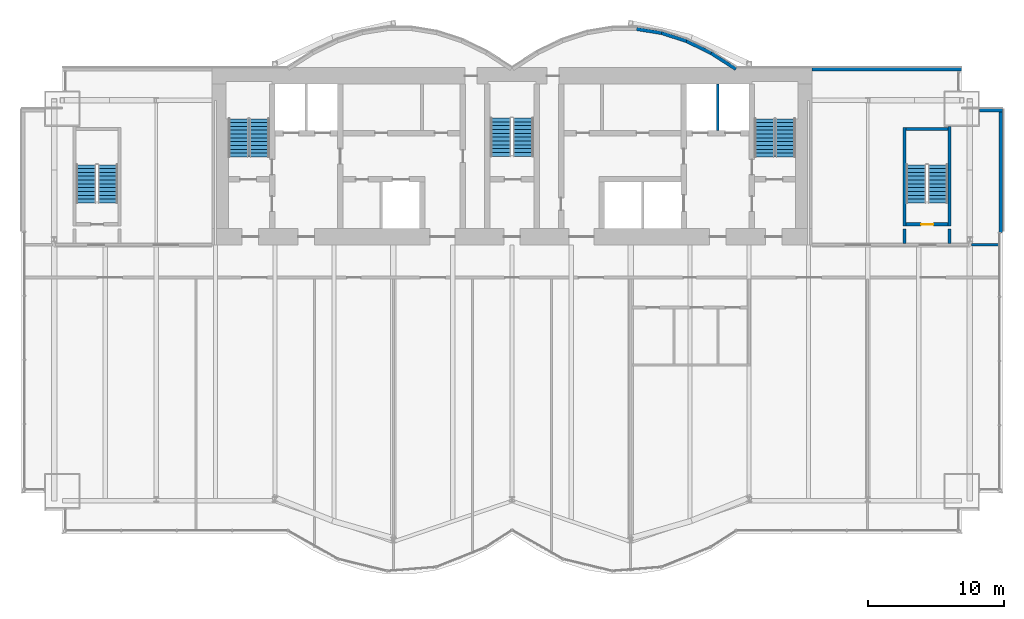
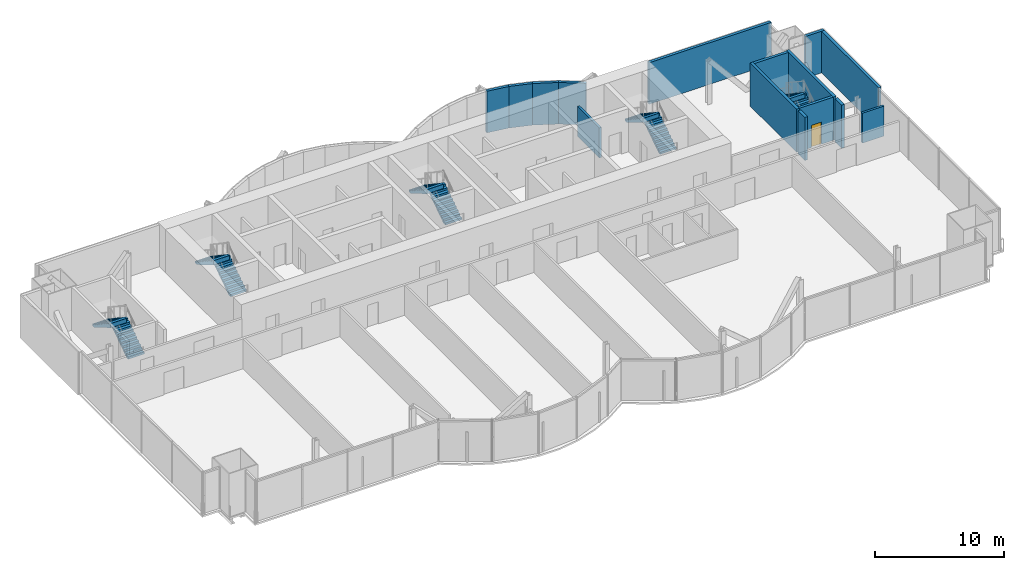
# One storey, part 18 of 21: 15 walls, 10 stair flights, 1 door, 1 opening, 5 elements without a shape of their own.
"""IFC4 building model written with IfcOpenShell, lengths in metres."""

from ifc_helpers import new_model, si_unit, direction, frame, frame_2d, origin, place, context, subcontext, project, spatial, polyline, rectangle, outline, extrude, material, layer, layer_set, layer_usage, type_object, element, fill, aggregate, save


model = new_model("IFC4")

# Units and contexts
model_context = context("Model", 3, precision=1e-05, world=origin(), true_north=direction((0.0, 1.0)))
body_context = subcontext(model_context, "Body", "Model", "MODEL_VIEW")
ifc_project = project(units=[si_unit("LENGTHUNIT", "METRE"), si_unit("AREAUNIT", "SQUARE_METRE"), si_unit("VOLUMEUNIT", "CUBIC_METRE"), si_unit("PLANEANGLEUNIT", "RADIAN"), si_unit("MASSUNIT", "GRAM", prefix="KILO")], contexts=[model_context])

# Site, building, storey
site_placement = place(None, origin())
site = spatial("IfcSite", under=ifc_project, at=site_placement, CompositionType="ELEMENT")
building_placement = place(site_placement, origin())
building = spatial("IfcBuilding", under=site, at=building_placement, Name="Bicima Exchange Tower", CompositionType="ELEMENT")
storey_placement = place(building_placement, frame((0.0, 0.0, 173.199951171875)))
storey = spatial("IfcBuildingStorey", under=building, at=storey_placement, Name="L38", CompositionType="ELEMENT", Elevation=173.199951171875)

# Walls
ifc_material_1 = material(Name="Gypsum board partition")
ifc_layer_1 = layer(ifc_material_1, 0.199951171875)
ifc_layer_set_1 = layer_set([ifc_layer_1], Name="Gypsum board partition")
wall_type_1 = type_object("IfcWallType", Name="Fire-rated gypsum partition 200 EI120", PredefinedType="PARTITIONING", material=ifc_layer_set_1)
wall_1_placement = place(storey_placement, frame((15.10009765625, -4.60009765625, 0.0), z_axis=(0.0, 0.0, 1.0), x_axis=(0.0, 1.0, 0.0)))
element("IfcWall", 1, at=wall_1_placement, inside=storey, type_object=wall_type_1, Name="partition wall 22", PredefinedType="PARTITIONING", context=body_context, shape_type="SweptSolid", body=[
    extrude(rectangle(XDim=3.400146484375, YDim=0.199951171875, at=frame_2d((1.7001953125, 0.0))), origin(), (0.0, 0.0, 1.0), 2.84033203125),
])
ifc_layer_2 = layer(ifc_material_1, 0.199951171875)
ifc_layer_set_2 = layer_set([ifc_layer_2], Name="Gypsum board partition")
wall_type_2 = type_object("IfcWallType", Name="Fire-rated gypsum partition 200 EI60", PredefinedType="PARTITIONING", material=ifc_layer_set_2)
wall_2_placement = place(storey_placement, frame((33.719970703125, -13.0, 0.0), z_axis=(0.0, 0.0, 1.0), x_axis=(1.0, 0.0, 0.0)))
element("IfcWall", 2, at=wall_2_placement, inside=storey, type_object=wall_type_2, Name="partition wall 7", PredefinedType="PARTITIONING", context=body_context, shape_type="SweptSolid", body=[
    extrude(rectangle(XDim=1.9599609375, YDim=0.199951171875, at=frame_2d((0.97998046875, 0.0))), origin(), (0.0, 0.0, 1.0), 2.84033203125),
])
ifc_material_2 = material(Name="Concrete C50/60", Category="concrete")
ifc_layer_3 = layer(ifc_material_2, 0.25)
ifc_layer_set_3 = layer_set([ifc_layer_3], Name="Concrete C50/60")
wall_type_3 = type_object("IfcWallType", Name="RC core wall 250 C50/60", PredefinedType="SHEAR", material=ifc_layer_set_3)
for number, where, z_axis, x_axis, name in (
    (3, (28.800048828125, -12.89990234375, 0.0), (0.0, 0.0, 1.0), (0.0, 1.0, 0.0), "stair wall 27"),
    (4, (32.10009765625, -12.89990234375, 0.0), (0.0, 0.0, 1.0), (0.0, 1.0, 0.0), "stair wall 28"),
):
    element("IfcWall", number, at=place(storey_placement, frame(where, z_axis=z_axis, x_axis=x_axis)), inside=storey, type_object=wall_type_3, Name=name, PredefinedType="SHEAR", context=body_context, shape_type="SweptSolid", body=[
        extrude(rectangle(XDim=1.0498046875, YDim=0.25, at=frame_2d((0.52490234375, 0.0))), origin(), (0.0, 0.0, 1.0), 4.10009765625),
    ])
ifc_layer_4 = layer(ifc_material_2, 0.25)
ifc_layer_set_4 = layer_set([ifc_layer_4], Name="Concrete C50/60")
wall_type_4 = type_object("IfcWallType", Name="RC stair enclosure wall 250 C50/60", PredefinedType="SHEAR", material=ifc_layer_set_4)
wall_3_placement = place(storey_placement, frame((28.800048828125, -11.625, 0.0), z_axis=(0.0, 0.0, 1.0), x_axis=(0.0, 1.0, 0.0)))
element("IfcWall", 5, at=wall_3_placement, inside=storey, type_object=wall_type_4, Name="East end exit stair wall W", PredefinedType="SHEAR", context=body_context, shape_type="SweptSolid", body=[
    extrude(rectangle(XDim=7.25, YDim=0.25, at=frame_2d((3.625, 0.0))), origin(), (0.0, 0.0, 1.0), 4.10009765625),
])
wall_4_placement = place(storey_placement, frame((32.10009765625, -11.625, 0.0), z_axis=(0.0, 0.0, 1.0), x_axis=(0.0, 1.0, 0.0)))
element("IfcWall", 6, at=wall_4_placement, inside=storey, type_object=wall_type_4, Name="East end exit stair wall E", PredefinedType="SHEAR", context=body_context, shape_type="SweptSolid", body=[
    extrude(rectangle(XDim=7.324951171875, YDim=0.25, at=frame_2d((3.66259765625, 0.0))), origin(), (0.0, 0.0, 1.0), 4.10009765625),
])

# Wall, opening, door
wall_5_placement = place(storey_placement, frame((28.925048828125, -11.5, 0.0), z_axis=(0.0, 0.0, 1.0), x_axis=(1.0, 0.0, 0.0)))
wall_5 = element("IfcWall", 7, at=wall_5_placement, inside=storey, type_object=wall_type_4, Name="East end exit stair wall S", PredefinedType="SHEAR", context=body_context, shape_type="SweptSolid", body=[
    extrude(rectangle(XDim=3.050048828125, YDim=0.25, at=frame_2d((1.52490234375, 0.0))), origin(), (0.0, 0.0, 1.0), 4.10009765625),
])
opening_placement = place(wall_5_placement, frame((1.10009765625, 0.0, 0.0)))
opening = element("IfcOpeningElement", 8, at=opening_placement, cuts=wall_5, Name="Opening L38-004", PredefinedType="OPENING", context=body_context, shape_type="SweptSolid", body=[
    extrude(rectangle(XDim=0.89990234375, YDim=2.10009765625, at=frame_2d((0.449951171875, 1.050048828125))), frame((0.0, 0.136962890625, 0.0), z_axis=(0.0, -1.0, 0.0), x_axis=(1.0, 0.0, 0.0)), (0.0, 0.0, 1.0), 0.27392578125),
])
ifc_material_3 = material(Name="Steel fire door leaf", Category="steel")
door_type = type_object("IfcDoorType", Name="Door 900 swing FD60S", OperationType="SINGLE_SWING_LEFT", PredefinedType="DOOR", material=ifc_material_3)
door_placement = place(opening_placement, origin())
door = element("IfcDoor", 9, at=door_placement, inside=storey, type_object=door_type, Name="Door", OperationType="SINGLE_SWING_LEFT", OverallHeight=2.10009765625, OverallWidth=0.89990234375, PredefinedType="DOOR", context=body_context, shape_type="SweptSolid", body=[
    extrude(rectangle(XDim=0.89990234375, YDim=2.10009765625, at=frame_2d((0.449951171875, 1.050048828125))), frame((0.0, 0.02490234375, 0.0), z_axis=(0.0, -1.0, 0.0), x_axis=(1.0, 0.0, 0.0)), (0.0, 0.0, 1.0), 0.050048828125),
])
fill(opening, door)

# Walls
wall_6_placement = place(storey_placement, frame((28.925048828125, -4.5, 0.0), z_axis=(0.0, 0.0, 1.0), x_axis=(1.0, 0.0, 0.0)))
element("IfcWall", 10, at=wall_6_placement, inside=storey, type_object=wall_type_4, Name="East end exit stair wall N", PredefinedType="SHEAR", context=body_context, shape_type="SweptSolid", body=[
    extrude(rectangle(XDim=3.050048828125, YDim=0.25, at=frame_2d((1.52490234375, 0.0))), origin(), (0.0, 0.0, 1.0), 4.10009765625),
])
ifc_material_4 = material(Name="Concrete C40/50", Category="concrete")
ifc_layer_5 = layer(ifc_material_4, 0.25)
ifc_layer_set_5 = layer_set([ifc_layer_5], Name="Concrete C40/50")
ifc_layer_usage = layer_usage(ifc_layer_set_5, "AXIS2", "POSITIVE", -0.125)
wall_type_5 = type_object("IfcWallType", Name="Rear backup wall 250", PredefinedType="STANDARD", material=ifc_layer_set_5)
wall_7_placement = place(storey_placement, frame((33.0, -0.125, 0.0), z_axis=(0.0, 0.0, 1.0), x_axis=(-1.0, 0.0, 0.0)))
element("IfcWall", 11, at=wall_7_placement, inside=storey, type_object=wall_type_5, material=ifc_layer_usage, Name="Rear backup wall L38 1", PredefinedType="STANDARD", context=body_context, shape_type="SweptSolid", body=[
    extrude(rectangle(XDim=11.0, YDim=0.25, at=frame_2d((5.5, 0.0))), origin(), (0.0, 0.0, 1.0), 3.949951171875),
])
wall_8_placement = place(storey_placement, frame((16.43212890625, -0.10498046875, 0.0), z_axis=(0.0, 0.0, 1.0), x_axis=(-0.83981312244, 0.542875602121, 0.0)))
element("IfcWall", 12, at=wall_8_placement, inside=storey, type_object=wall_type_5, material=ifc_layer_usage, Name="Rear backup wall L38 2", PredefinedType="STANDARD", context=body_context, shape_type="SweptSolid", body=[
    extrude(rectangle(XDim=2.182861328125, YDim=0.25, at=frame_2d((1.09130859375, 0.0))), origin(), (0.0, 0.0, 1.0), 3.949951171875),
])
wall_9_placement = place(storey_placement, frame((14.6123046875, 1.07275390625, 0.0), z_axis=(0.0, 0.0, 1.0), x_axis=(-0.89982408427, 0.436252928206, 0.0)))
element("IfcWall", 13, at=wall_9_placement, inside=storey, type_object=wall_type_5, material=ifc_layer_usage, Name="Rear backup wall L38 3", PredefinedType="STANDARD", context=body_context, shape_type="SweptSolid", body=[
    extrude(rectangle(XDim=2.03759765625, YDim=0.25, at=frame_2d((1.018798828125, 0.0))), origin(), (0.0, 0.0, 1.0), 3.949951171875),
])
wall_10_placement = place(storey_placement, frame((12.794921875, 1.955078125, 0.0), z_axis=(0.0, 0.0, 1.0), x_axis=(-0.951495806175, 0.307661714928, 0.0)))
element("IfcWall", 14, at=wall_10_placement, inside=storey, type_object=wall_type_5, material=ifc_layer_usage, Name="Rear backup wall L38 4", PredefinedType="STANDARD", context=body_context, shape_type="SweptSolid", body=[
    extrude(rectangle(XDim=1.9267578125, YDim=0.25, at=frame_2d((0.96337890625, 0.0))), origin(), (0.0, 0.0, 1.0), 3.949951171875),
])
wall_11_placement = place(storey_placement, frame((10.97998046875, 2.543212890625, 0.0), z_axis=(0.0, 0.0, 1.0), x_axis=(-0.987181718931, 0.159600293885, 0.0)))
element("IfcWall", 15, at=wall_11_placement, inside=storey, type_object=wall_type_5, material=ifc_layer_usage, Name="Rear backup wall L38 5", PredefinedType="STANDARD", context=body_context, shape_type="SweptSolid", body=[
    extrude(rectangle(XDim=1.857177734375, YDim=0.25, at=frame_2d((0.9287109375, 0.0))), origin(), (0.0, 0.0, 1.0), 3.949951171875),
])
wall_12_placement = place(storey_placement, frame((35.875, -12.090087890625, 0.0), z_axis=(0.0, 0.0, 1.0), x_axis=(0.0, 1.0, 0.0)))
element("IfcWall", 16, at=wall_12_placement, inside=storey, type_object=wall_type_5, material=ifc_layer_usage, Name="Rear backup wall L38 50", PredefinedType="STANDARD", context=body_context, shape_type="SweptSolid", body=[
    extrude(rectangle(XDim=9.090087890625, YDim=0.25, at=frame_2d((4.544921875, 0.0))), origin(), (0.0, 0.0, 1.0), 3.949951171875),
])
wall_13_placement = place(storey_placement, frame((36.0, -3.125, 0.0), z_axis=(0.0, 0.0, 1.0), x_axis=(-1.0, 0.0, 0.0)))
element("IfcWall", 17, at=wall_13_placement, inside=storey, type_object=wall_type_5, material=ifc_layer_usage, Name="Rear backup wall L38 51", PredefinedType="STANDARD", context=body_context, shape_type="SweptSolid", body=[
    extrude(rectangle(XDim=1.699951171875, YDim=0.25, at=frame_2d((0.85009765625, 0.0))), origin(), (0.0, 0.0, 1.0), 3.949951171875),
])

# Stair, stair flights
stair_type_1 = type_object("IfcStairType", Name="Exit stair", PredefinedType="HALF_TURN_STAIR", material=ifc_material_2)
stair_1_placement = place(storey_placement, origin())
stair_1 = element("IfcStair", 18, at=stair_1_placement, inside=storey, type_object=stair_type_1, Name="L38 West exit stair", PredefinedType="HALF_TURN_STAIR")
stair_flight_type_1 = type_object("IfcStairFlightType", Name="Stair flight RC", PredefinedType="STRAIGHT", material=ifc_material_2)
stair_flight_1_placement = place(storey_placement, frame((-18.52490234375, -6.550048828125, 0.0), z_axis=(0.0, 0.0, 1.0), x_axis=(0.0, 1.0, 0.0)))
stair_flight_1 = element("IfcStairFlight", 19, at=stair_flight_1_placement, type_object=stair_flight_type_1, Name="ST-W flight 1", NumberOfRisers=11, NumberOfTreads=10, PredefinedType="STRAIGHT", RiserHeight=0.186363636, TreadLength=0.28, context=body_context, shape_type="SweptSolid", body=[
    extrude(outline(polyline([(0.0, 0.0), (0.0, 0.186279296875), (0.280029296875, 0.186279296875), (0.280029296875, 0.372802734375), (0.56005859375, 0.372802734375), (0.56005859375, 0.55908203125), (0.840087890625, 0.55908203125), (0.840087890625, 0.745361328125), (1.1201171875, 0.745361328125), (1.1201171875, 0.931884765625), (1.39990234375, 0.931884765625), (1.39990234375, 1.1181640625), (1.679931640625, 1.1181640625), (1.679931640625, 1.304443359375), (1.9599609375, 1.304443359375), (1.9599609375, 1.490966796875), (2.239990234375, 1.490966796875), (2.239990234375, 1.67724609375), (2.52001953125, 1.67724609375), (2.52001953125, 1.863525390625), (2.800048828125, 1.863525390625), (2.800048828125, 2.050048828125), (2.800048828125, 1.68359375), (0.2705078125, 0.0), (0.0, 0.0)])), frame((0.0, 0.72509765625, 0.0), z_axis=(0.0, -1.0, 0.0), x_axis=(1.0, 0.0, 0.0)), (0.0, 0.0, 1.0), 1.449951171875),
])
stair_flight_2_placement = place(storey_placement, frame((-20.074951171875, -3.75, 2.050048828125), z_axis=(0.0, 0.0, 1.0), x_axis=(0.0, -1.0, 0.0)))
stair_flight_2 = element("IfcStairFlight", 20, at=stair_flight_2_placement, type_object=stair_flight_type_1, Name="ST-W flight 2", NumberOfRisers=11, NumberOfTreads=10, PredefinedType="STRAIGHT", RiserHeight=0.186363636, TreadLength=0.28, context=body_context, shape_type="SweptSolid", body=[
    extrude(outline(polyline([(0.0, 0.0), (0.0, 0.186279296875), (0.280029296875, 0.186279296875), (0.280029296875, 0.372802734375), (0.56005859375, 0.372802734375), (0.56005859375, 0.55908203125), (0.840087890625, 0.55908203125), (0.840087890625, 0.745361328125), (1.1201171875, 0.745361328125), (1.1201171875, 0.931884765625), (1.39990234375, 0.931884765625), (1.39990234375, 1.1181640625), (1.679931640625, 1.1181640625), (1.679931640625, 1.304443359375), (1.9599609375, 1.304443359375), (1.9599609375, 1.490966796875), (2.239990234375, 1.490966796875), (2.239990234375, 1.67724609375), (2.52001953125, 1.67724609375), (2.52001953125, 1.863525390625), (2.800048828125, 1.863525390625), (2.800048828125, 1.904052734375), (2.81494140625, 1.904052734375), (2.81494140625, 1.507080078125), (0.2705078125, 0.0), (0.0, 0.0)])), frame((0.0, 0.72509765625, 0.0), z_axis=(0.0, -1.0, 0.0), x_axis=(1.0, 0.0, 0.0)), (0.0, 0.0, 1.0), 1.449951171875),
])
aggregate(stair_1, [stair_flight_1, stair_flight_2])

stair_2_placement = place(storey_placement, origin())
stair_2 = element("IfcStair", 21, at=stair_2_placement, inside=storey, type_object=stair_type_1, Name="L38 East exit stair", PredefinedType="HALF_TURN_STAIR")
stair_flight_3_placement = place(storey_placement, frame((20.074951171875, -6.550048828125, 0.0), z_axis=(0.0, 0.0, 1.0), x_axis=(0.0, 1.0, 0.0)))
stair_flight_3 = element("IfcStairFlight", 22, at=stair_flight_3_placement, type_object=stair_flight_type_1, Name="ST-E flight 1", NumberOfRisers=11, NumberOfTreads=10, PredefinedType="STRAIGHT", RiserHeight=0.186363636, TreadLength=0.28, context=body_context, shape_type="SweptSolid", body=[
    extrude(outline(polyline([(0.0, 0.0), (0.0, 0.186279296875), (0.280029296875, 0.186279296875), (0.280029296875, 0.372802734375), (0.56005859375, 0.372802734375), (0.56005859375, 0.55908203125), (0.840087890625, 0.55908203125), (0.840087890625, 0.745361328125), (1.1201171875, 0.745361328125), (1.1201171875, 0.931884765625), (1.39990234375, 0.931884765625), (1.39990234375, 1.1181640625), (1.679931640625, 1.1181640625), (1.679931640625, 1.304443359375), (1.9599609375, 1.304443359375), (1.9599609375, 1.490966796875), (2.239990234375, 1.490966796875), (2.239990234375, 1.67724609375), (2.52001953125, 1.67724609375), (2.52001953125, 1.863525390625), (2.800048828125, 1.863525390625), (2.800048828125, 2.050048828125), (2.800048828125, 1.68359375), (0.2705078125, 0.0), (0.0, 0.0)])), frame((0.0, 0.72509765625, 0.0), z_axis=(0.0, -1.0, 0.0), x_axis=(1.0, 0.0, 0.0)), (0.0, 0.0, 1.0), 1.449951171875),
])
stair_flight_4_placement = place(storey_placement, frame((18.52490234375, -3.75, 2.050048828125), z_axis=(0.0, 0.0, 1.0), x_axis=(0.0, -1.0, 0.0)))
stair_flight_4 = element("IfcStairFlight", 23, at=stair_flight_4_placement, type_object=stair_flight_type_1, Name="ST-E flight 2", NumberOfRisers=11, NumberOfTreads=10, PredefinedType="STRAIGHT", RiserHeight=0.186363636, TreadLength=0.28, context=body_context, shape_type="SweptSolid", body=[
    extrude(outline(polyline([(0.0, 0.0), (0.0, 0.186279296875), (0.280029296875, 0.186279296875), (0.280029296875, 0.372802734375), (0.56005859375, 0.372802734375), (0.56005859375, 0.55908203125), (0.840087890625, 0.55908203125), (0.840087890625, 0.745361328125), (1.1201171875, 0.745361328125), (1.1201171875, 0.931884765625), (1.39990234375, 0.931884765625), (1.39990234375, 1.1181640625), (1.679931640625, 1.1181640625), (1.679931640625, 1.304443359375), (1.9599609375, 1.304443359375), (1.9599609375, 1.490966796875), (2.239990234375, 1.490966796875), (2.239990234375, 1.67724609375), (2.52001953125, 1.67724609375), (2.52001953125, 1.863525390625), (2.800048828125, 1.863525390625), (2.800048828125, 1.904052734375), (2.81494140625, 1.904052734375), (2.81494140625, 1.507080078125), (0.2705078125, 0.0), (0.0, 0.0)])), frame((0.0, 0.72509765625, 0.0), z_axis=(0.0, -1.0, 0.0), x_axis=(1.0, 0.0, 0.0)), (0.0, 0.0, 1.0), 1.449951171875),
])
aggregate(stair_2, [stair_flight_3, stair_flight_4])

stair_3_placement = place(storey_placement, origin())
stair_3 = element("IfcStair", 24, at=stair_3_placement, inside=storey, type_object=stair_type_1, Name="L38 West end exit stair", PredefinedType="HALF_TURN_STAIR")
stair_flight_5_placement = place(storey_placement, frame((-29.64990234375, -9.925048828125, 0.0), z_axis=(0.0, 0.0, 1.0), x_axis=(0.0, 1.0, 0.0)))
stair_flight_5 = element("IfcStairFlight", 25, at=stair_flight_5_placement, type_object=stair_flight_type_1, Name="ST-WW flight 1", NumberOfRisers=11, NumberOfTreads=10, PredefinedType="STRAIGHT", RiserHeight=0.186363636, TreadLength=0.28, context=body_context, shape_type="SweptSolid", body=[
    extrude(outline(polyline([(0.0, 0.0), (0.0, 0.186279296875), (0.280029296875, 0.186279296875), (0.280029296875, 0.372802734375), (0.56005859375, 0.372802734375), (0.56005859375, 0.55908203125), (0.840087890625, 0.55908203125), (0.840087890625, 0.745361328125), (1.1201171875, 0.745361328125), (1.1201171875, 0.931884765625), (1.39990234375, 0.931884765625), (1.39990234375, 1.1181640625), (1.679931640625, 1.1181640625), (1.679931640625, 1.304443359375), (1.9599609375, 1.304443359375), (1.9599609375, 1.490966796875), (2.239990234375, 1.490966796875), (2.239990234375, 1.67724609375), (2.52001953125, 1.67724609375), (2.52001953125, 1.863525390625), (2.800048828125, 1.863525390625), (2.800048828125, 2.050048828125), (2.800048828125, 1.68359375), (0.2705078125, 0.0), (0.0, 0.0)])), frame((0.0, 0.72509765625, 0.0), z_axis=(0.0, -1.0, 0.0), x_axis=(1.0, 0.0, 0.0)), (0.0, 0.0, 1.0), 1.449951171875),
])
stair_flight_6_placement = place(storey_placement, frame((-31.25, -7.125, 2.050048828125), z_axis=(0.0, 0.0, 1.0), x_axis=(0.0, -1.0, 0.0)))
stair_flight_6 = element("IfcStairFlight", 26, at=stair_flight_6_placement, type_object=stair_flight_type_1, Name="ST-WW flight 2", NumberOfRisers=11, NumberOfTreads=10, PredefinedType="STRAIGHT", RiserHeight=0.186363636, TreadLength=0.28, context=body_context, shape_type="SweptSolid", body=[
    extrude(outline(polyline([(0.0, 0.0), (0.0, 0.186279296875), (0.280029296875, 0.186279296875), (0.280029296875, 0.372802734375), (0.56005859375, 0.372802734375), (0.56005859375, 0.55908203125), (0.840087890625, 0.55908203125), (0.840087890625, 0.745361328125), (1.1201171875, 0.745361328125), (1.1201171875, 0.931884765625), (1.39990234375, 0.931884765625), (1.39990234375, 1.1181640625), (1.679931640625, 1.1181640625), (1.679931640625, 1.304443359375), (1.9599609375, 1.304443359375), (1.9599609375, 1.490966796875), (2.239990234375, 1.490966796875), (2.239990234375, 1.67724609375), (2.52001953125, 1.67724609375), (2.52001953125, 1.863525390625), (2.800048828125, 1.863525390625), (2.800048828125, 1.904052734375), (2.81494140625, 1.904052734375), (2.81494140625, 1.507080078125), (0.2705078125, 0.0), (0.0, 0.0)])), frame((0.0, 0.72509765625, 0.0), z_axis=(0.0, -1.0, 0.0), x_axis=(1.0, 0.0, 0.0)), (0.0, 0.0, 1.0), 1.449951171875),
])
aggregate(stair_3, [stair_flight_5, stair_flight_6])

stair_4_placement = place(storey_placement, origin())
stair_4 = element("IfcStair", 27, at=stair_4_placement, inside=storey, type_object=stair_type_1, Name="L38 East end exit stair", PredefinedType="HALF_TURN_STAIR")
stair_flight_7_placement = place(storey_placement, frame((31.25, -9.925048828125, 0.0), z_axis=(0.0, 0.0, 1.0), x_axis=(0.0, 1.0, 0.0)))
stair_flight_7 = element("IfcStairFlight", 28, at=stair_flight_7_placement, type_object=stair_flight_type_1, Name="ST-EE flight 1", NumberOfRisers=11, NumberOfTreads=10, PredefinedType="STRAIGHT", RiserHeight=0.186363636, TreadLength=0.28, context=body_context, shape_type="SweptSolid", body=[
    extrude(outline(polyline([(0.0, 0.0), (0.0, 0.186279296875), (0.280029296875, 0.186279296875), (0.280029296875, 0.372802734375), (0.56005859375, 0.372802734375), (0.56005859375, 0.55908203125), (0.840087890625, 0.55908203125), (0.840087890625, 0.745361328125), (1.1201171875, 0.745361328125), (1.1201171875, 0.931884765625), (1.39990234375, 0.931884765625), (1.39990234375, 1.1181640625), (1.679931640625, 1.1181640625), (1.679931640625, 1.304443359375), (1.9599609375, 1.304443359375), (1.9599609375, 1.490966796875), (2.239990234375, 1.490966796875), (2.239990234375, 1.67724609375), (2.52001953125, 1.67724609375), (2.52001953125, 1.863525390625), (2.800048828125, 1.863525390625), (2.800048828125, 2.050048828125), (2.800048828125, 1.68359375), (0.2705078125, 0.0), (0.0, 0.0)])), frame((0.0, 0.72509765625, 0.0), z_axis=(0.0, -1.0, 0.0), x_axis=(1.0, 0.0, 0.0)), (0.0, 0.0, 1.0), 1.449951171875),
])
stair_flight_8_placement = place(storey_placement, frame((29.64990234375, -7.125, 2.050048828125), z_axis=(0.0, 0.0, 1.0), x_axis=(0.0, -1.0, 0.0)))
stair_flight_8 = element("IfcStairFlight", 29, at=stair_flight_8_placement, type_object=stair_flight_type_1, Name="ST-EE flight 2", NumberOfRisers=11, NumberOfTreads=10, PredefinedType="STRAIGHT", RiserHeight=0.186363636, TreadLength=0.28, context=body_context, shape_type="SweptSolid", body=[
    extrude(outline(polyline([(0.0, 0.0), (0.0, 0.186279296875), (0.280029296875, 0.186279296875), (0.280029296875, 0.372802734375), (0.56005859375, 0.372802734375), (0.56005859375, 0.55908203125), (0.840087890625, 0.55908203125), (0.840087890625, 0.745361328125), (1.1201171875, 0.745361328125), (1.1201171875, 0.931884765625), (1.39990234375, 0.931884765625), (1.39990234375, 1.1181640625), (1.679931640625, 1.1181640625), (1.679931640625, 1.304443359375), (1.9599609375, 1.304443359375), (1.9599609375, 1.490966796875), (2.239990234375, 1.490966796875), (2.239990234375, 1.67724609375), (2.52001953125, 1.67724609375), (2.52001953125, 1.863525390625), (2.800048828125, 1.863525390625), (2.800048828125, 1.904052734375), (2.81494140625, 1.904052734375), (2.81494140625, 1.507080078125), (0.2705078125, 0.0), (0.0, 0.0)])), frame((0.0, 0.72509765625, 0.0), z_axis=(0.0, -1.0, 0.0), x_axis=(1.0, 0.0, 0.0)), (0.0, 0.0, 1.0), 1.449951171875),
])
aggregate(stair_4, [stair_flight_7, stair_flight_8])

stair_type_2 = type_object("IfcStairType", Name="Exit stair 1500", PredefinedType="HALF_TURN_STAIR", material=ifc_material_2)
stair_5_placement = place(storey_placement, origin())
stair_5 = element("IfcStair", 30, at=stair_5_placement, inside=storey, type_object=stair_type_2, Name="L38 Central exit stair", PredefinedType="HALF_TURN_STAIR")
stair_flight_type_2 = type_object("IfcStairFlightType", Name="Stair flight RC 1500", PredefinedType="STRAIGHT", material=ifc_material_2)
stair_flight_9_placement = place(storey_placement, frame((0.824951171875, -6.5, 0.0), z_axis=(0.0, 0.0, 1.0), x_axis=(0.0, 1.0, 0.0)))
stair_flight_9 = element("IfcStairFlight", 31, at=stair_flight_9_placement, type_object=stair_flight_type_2, Name="ST-C flight 1", NumberOfRisers=11, NumberOfTreads=10, PredefinedType="STRAIGHT", RiserHeight=0.186363636, TreadLength=0.28, context=body_context, shape_type="SweptSolid", body=[
    extrude(outline(polyline([(0.0, 0.0), (0.0, 0.186279296875), (0.280029296875, 0.186279296875), (0.280029296875, 0.372802734375), (0.56005859375, 0.372802734375), (0.56005859375, 0.55908203125), (0.840087890625, 0.55908203125), (0.840087890625, 0.745361328125), (1.1201171875, 0.745361328125), (1.1201171875, 0.931884765625), (1.39990234375, 0.931884765625), (1.39990234375, 1.1181640625), (1.679931640625, 1.1181640625), (1.679931640625, 1.304443359375), (1.9599609375, 1.304443359375), (1.9599609375, 1.490966796875), (2.239990234375, 1.490966796875), (2.239990234375, 1.67724609375), (2.52001953125, 1.67724609375), (2.52001953125, 1.863525390625), (2.800048828125, 1.863525390625), (2.800048828125, 2.050048828125), (2.800048828125, 1.68359375), (0.2705078125, 0.0), (0.0, 0.0)])), frame((0.0, 0.75, 0.0), z_axis=(0.0, -1.0, 0.0), x_axis=(1.0, 0.0, 0.0)), (0.0, 0.0, 1.0), 1.5),
])
stair_flight_10_placement = place(storey_placement, frame((-0.824951171875, -3.699951171875, 2.050048828125), z_axis=(0.0, 0.0, 1.0), x_axis=(0.0, -1.0, 0.0)))
stair_flight_10 = element("IfcStairFlight", 32, at=stair_flight_10_placement, type_object=stair_flight_type_2, Name="ST-C flight 2", NumberOfRisers=11, NumberOfTreads=10, PredefinedType="STRAIGHT", RiserHeight=0.186363636, TreadLength=0.28, context=body_context, shape_type="SweptSolid", body=[
    extrude(outline(polyline([(0.0, 0.0), (0.0, 0.186279296875), (0.280029296875, 0.186279296875), (0.280029296875, 0.372802734375), (0.56005859375, 0.372802734375), (0.56005859375, 0.55908203125), (0.840087890625, 0.55908203125), (0.840087890625, 0.745361328125), (1.1201171875, 0.745361328125), (1.1201171875, 0.931884765625), (1.39990234375, 0.931884765625), (1.39990234375, 1.1181640625), (1.679931640625, 1.1181640625), (1.679931640625, 1.304443359375), (1.9599609375, 1.304443359375), (1.9599609375, 1.490966796875), (2.239990234375, 1.490966796875), (2.239990234375, 1.67724609375), (2.52001953125, 1.67724609375), (2.52001953125, 1.863525390625), (2.800048828125, 1.863525390625), (2.800048828125, 1.904052734375), (2.81494140625, 1.904052734375), (2.81494140625, 1.507080078125), (0.2705078125, 0.0), (0.0, 0.0)])), frame((0.0, 0.75, 0.0), z_axis=(0.0, -1.0, 0.0), x_axis=(1.0, 0.0, 0.0)), (0.0, 0.0, 1.0), 1.5),
])
aggregate(stair_5, [stair_flight_9, stair_flight_10])

save(model, "model.ifc")
